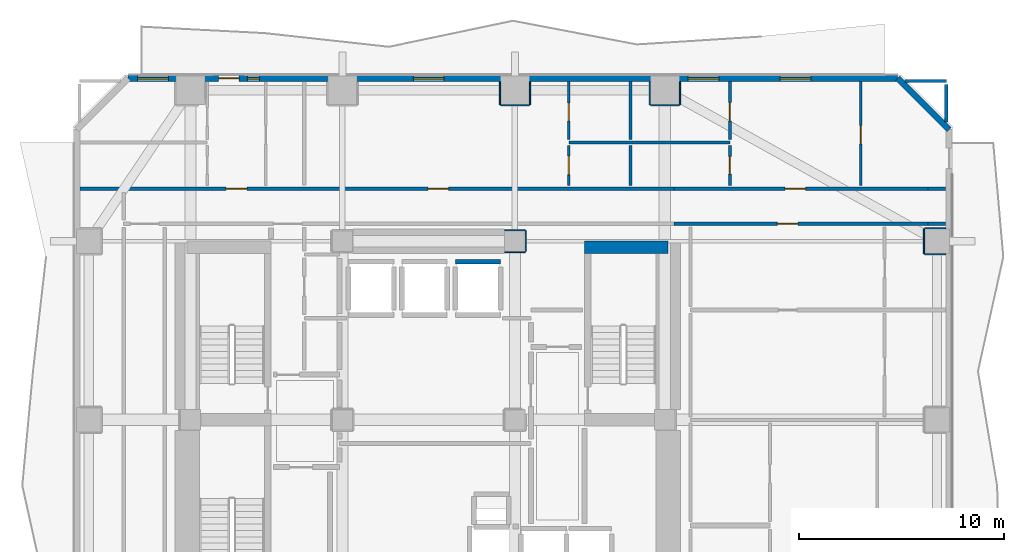
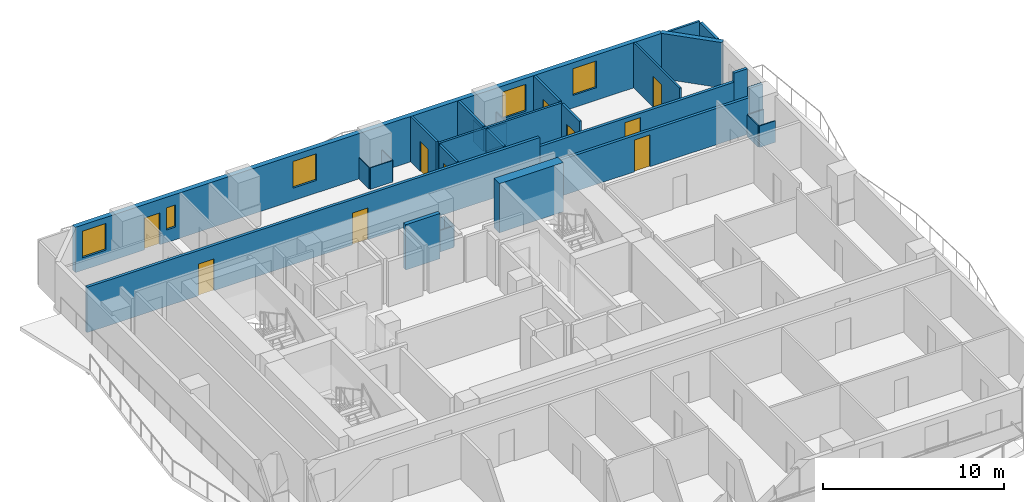
# One storey, part 6 of 10: 31 walls, 10 doors, 5 windows, 15 openings.
"""IFC4 building model written with IfcOpenShell, lengths in metres."""

from ifc_helpers import new_model, si_unit, direction, frame, frame_2d, origin, place, context, subcontext, project, spatial, rectangle, extrude, material, layer, layer_set, type_object, element, fill, save


model = new_model("IFC4")

# Units and contexts
model_context = context("Model", 3, precision=1e-05, world=origin(), true_north=direction((0.0, 1.0)))
body_context = subcontext(model_context, "Body", "Model", "MODEL_VIEW")
ifc_project = project(units=[si_unit("LENGTHUNIT", "METRE"), si_unit("AREAUNIT", "SQUARE_METRE"), si_unit("VOLUMEUNIT", "CUBIC_METRE"), si_unit("PLANEANGLEUNIT", "RADIAN"), si_unit("MASSUNIT", "GRAM", prefix="KILO")], contexts=[model_context])

# Site, building, storey
site_placement = place(None, origin())
site = spatial("IfcSite", under=ifc_project, at=site_placement, CompositionType="ELEMENT")
building_placement = place(site_placement, origin())
building = spatial("IfcBuilding", under=site, at=building_placement, Name="Solanera Arch Residences", CompositionType="ELEMENT")
storey_placement = place(building_placement, frame((0.0, 0.0, 45.239990234375)))
storey = spatial("IfcBuildingStorey", under=building, at=storey_placement, Name="L12", CompositionType="ELEMENT", Elevation=45.239990234375)

# Walls
ifc_material_1 = material(Name="Fire-Rated Gypsum Stud Partition", Category="gypsum")
ifc_layer_1 = layer(ifc_material_1, 0.06005859375)
ifc_layer_set_1 = layer_set([ifc_layer_1], Name="Fire-Rated Gypsum Stud Partition")
wall_type_1 = type_object("IfcWallType", Name="Column Acoustic Furring Wall 60", PredefinedType="PARTITIONING", material=ifc_layer_set_1)
for number, where, z_axis, x_axis, name in (
    (1, (28.7099609375, 38.867919921875, 0.0), (0.0, 0.0, 1.0), (1.0, 0.0, 0.0), "L12 Column Furring 4S"),
    (2, (28.7099609375, 39.931884765625, 0.0), (0.0, 0.0, 1.0), (1.0, 0.0, 0.0), "L12 Column Furring 4N"),
):
    element("IfcWall", number, at=place(storey_placement, frame(where, z_axis=z_axis, x_axis=x_axis)), inside=storey, type_object=wall_type_1, Name=name, PredefinedType="PARTITIONING", context=body_context, shape_type="SweptSolid", body=[
        extrude(rectangle(XDim=0.989990234375, YDim=0.06005859375, at=frame_2d((0.4951171875, 0.0))), origin(), (0.0, 0.0, 1.0), 1.449951171875),
    ])
wall_1_placement = place(storey_placement, frame((29.73193359375, 38.89990234375, 0.0), z_axis=(0.0, 0.0, 1.0), x_axis=(0.0, 1.0, 0.0)))
element("IfcWall", 3, at=wall_1_placement, inside=storey, type_object=wall_type_1, Name="L12 Column Furring 4E", PredefinedType="PARTITIONING", context=body_context, shape_type="SweptSolid", body=[
    extrude(rectangle(XDim=1.0, YDim=0.06005859375, at=frame_2d((0.5, 0.0))), origin(), (0.0, 0.0, 1.0), 1.449951171875),
])
wall_2_placement = place(storey_placement, frame((28.5, 46.01806640625, 0.0), z_axis=(0.0, 0.0, 1.0), x_axis=(1.0, 0.0, 0.0)))
element("IfcWall", 4, at=wall_2_placement, inside=storey, type_object=wall_type_1, Name="L12 Column Furring 14S", PredefinedType="PARTITIONING", context=body_context, shape_type="SweptSolid", body=[
    extrude(rectangle(XDim=1.39990234375, YDim=0.06005859375, at=frame_2d((0.699951171875, 0.0))), origin(), (0.0, 0.0, 1.0), 1.449951171875),
])
for number, where, z_axis, x_axis, name in (
    (5, (28.468017578125, 46.050048828125, 0.0), (0.0, 0.0, 1.0), (0.0, 1.0, 0.0), "L12 Column Furring 14W"),
    (6, (29.931884765625, 46.050048828125, 0.0), (0.0, 0.0, 1.0), (0.0, 1.0, 0.0), "L12 Column Furring 14E"),
):
    element("IfcWall", number, at=place(storey_placement, frame(where, z_axis=z_axis, x_axis=x_axis)), inside=storey, type_object=wall_type_1, Name=name, PredefinedType="PARTITIONING", context=body_context, shape_type="SweptSolid", body=[
        extrude(rectangle(XDim=1.119873046875, YDim=0.06005859375, at=frame_2d((0.56005859375, 0.0))), origin(), (0.0, 0.0, 1.0), 1.449951171875),
    ])
wall_3_placement = place(storey_placement, frame((35.800048828125, 46.01806640625, 0.0), z_axis=(0.0, 0.0, 1.0), x_axis=(1.0, 0.0, 0.0)))
element("IfcWall", 7, at=wall_3_placement, inside=storey, type_object=wall_type_1, Name="L12 Column Furring 16S", PredefinedType="PARTITIONING", context=body_context, shape_type="SweptSolid", body=[
    extrude(rectangle(XDim=1.39990234375, YDim=0.06005859375, at=frame_2d((0.699951171875, 0.0))), origin(), (0.0, 0.0, 1.0), 1.449951171875),
])
for number, where, z_axis, x_axis, name in (
    (8, (35.76806640625, 46.050048828125, 0.0), (0.0, 0.0, 1.0), (0.0, 1.0, 0.0), "L12 Column Furring 16W"),
    (9, (37.23193359375, 46.050048828125, 0.0), (0.0, 0.0, 1.0), (0.0, 1.0, 0.0), "L12 Column Furring 16E"),
):
    element("IfcWall", number, at=place(storey_placement, frame(where, z_axis=z_axis, x_axis=x_axis)), inside=storey, type_object=wall_type_1, Name=name, PredefinedType="PARTITIONING", context=body_context, shape_type="SweptSolid", body=[
        extrude(rectangle(XDim=1.119873046875, YDim=0.06005859375, at=frame_2d((0.56005859375, 0.0))), origin(), (0.0, 0.0, 1.0), 1.449951171875),
    ])
for number, where, z_axis, x_axis, name in (
    (10, (49.14990234375, 38.76806640625, 0.0), (0.0, 0.0, 1.0), (1.0, 0.0, 0.0), "L12 Column Furring 22S"),
    (11, (49.14990234375, 40.031982421875, 0.0), (0.0, 0.0, 1.0), (1.0, 0.0, 0.0), "L12 Column Furring 22N"),
):
    element("IfcWall", number, at=place(storey_placement, frame(where, z_axis=z_axis, x_axis=x_axis)), inside=storey, type_object=wall_type_1, Name=name, PredefinedType="PARTITIONING", context=body_context, shape_type="SweptSolid", body=[
        extrude(rectangle(XDim=1.02001953125, YDim=0.06005859375, at=frame_2d((0.510009765625, 0.0))), origin(), (0.0, 0.0, 1.0), 1.449951171875),
    ])
wall_4_placement = place(storey_placement, frame((49.117919921875, 38.800048828125, 0.0), z_axis=(0.0, 0.0, 1.0), x_axis=(0.0, 1.0, 0.0)))
element("IfcWall", 12, at=wall_4_placement, inside=storey, type_object=wall_type_1, Name="L12 Column Furring 22W", PredefinedType="PARTITIONING", context=body_context, shape_type="SweptSolid", body=[
    extrude(rectangle(XDim=1.199951171875, YDim=0.06005859375, at=frame_2d((0.60009765625, 0.0))), origin(), (0.0, 0.0, 1.0), 1.449951171875),
])
ifc_material_2 = material(Name="Concrete C40/50 (f'c = 45 MPa)", Category="concrete")
ifc_layer_2 = layer(ifc_material_2, 0.60009765625)
ifc_layer_set_2 = layer_set([ifc_layer_2], Name="Concrete C40/50 (f'c = 45 MPa)")
wall_type_2 = type_object("IfcWallType", Name="Core Shear Wall CW-600", PredefinedType="SHEAR", material=ifc_layer_set_2)
wall_5_placement = place(storey_placement, frame((32.580078125, 39.10009765625, 0.0), z_axis=(0.0, 0.0, 1.0), x_axis=(1.0, 0.0, 0.0)))
element("IfcWall", 13, at=wall_5_placement, inside=storey, type_object=wall_type_2, Name="L12 North-East Core Shear Wall", PredefinedType="SHEAR", context=body_context, shape_type="SweptSolid", body=[
    extrude(rectangle(XDim=4.079833984375, YDim=0.60009765625, at=frame_2d((2.0400390625, 0.0))), origin(), (0.0, 0.0, 1.0), 3.320068359375),
])

# Wall, opening, door
ifc_material_3 = material(Name="Autoclaved Aerated Concrete Blockwork", Category="masonry")
ifc_layer_3 = layer(ifc_material_3, 0.179931640625)
ifc_layer_set_3 = layer_set([ifc_layer_3], Name="Autoclaved Aerated Concrete Blockwork")
wall_type_3 = type_object("IfcWallType", Name="Corridor Fire Partition 180", PredefinedType="PARTITIONING", material=ifc_layer_set_3)
wall_6_placement = place(storey_placement, frame((36.931884765625, 40.25, 0.0), z_axis=(0.0, 0.0, 1.0), x_axis=(1.0, 0.0, 0.0)))
wall_6 = element("IfcWall", 14, at=wall_6_placement, inside=storey, type_object=wall_type_3, Name="L12 Interior Partition H12 2", PredefinedType="PARTITIONING", context=body_context, shape_type="SweptSolid", body=[
    extrude(rectangle(XDim=12.38623046875, YDim=0.179931640625, at=frame_2d((6.193115234375, 0.0))), origin(), (0.0, 0.0, 1.0), 2.445068359375),
])
opening_1_placement = place(wall_6_placement, frame((5.04296875, 0.0, 0.0)))
opening_1 = element("IfcOpeningElement", 15, at=opening_1_placement, cuts=wall_6, Name="Opening DI-01", PredefinedType="OPENING", context=body_context, shape_type="SweptSolid", body=[
    extrude(rectangle(XDim=1.0, YDim=2.14990234375, at=frame_2d((0.5, 1.074951171875))), frame((0.0, 0.10009765625, 0.0), z_axis=(0.0, -1.0, 0.0), x_axis=(1.0, 0.0, 0.0)), (0.0, 0.0, 1.0), 0.1999),
])
ifc_material_4 = material(Name="Fire-Rated Architectural Hardwood", Category="wood")
door_type_1 = type_object("IfcDoorType", Name="Unit Entrance Fire Door DI-01", OperationType="NOTDEFINED", PredefinedType="DOOR", material=ifc_material_4)
door_1_placement = place(opening_1_placement, origin())
door_1 = element("IfcDoor", 16, at=door_1_placement, inside=storey, type_object=door_type_1, Name="DR-L12-IN-044", OperationType="SINGLE_SWING_LEFT", OverallHeight=2.14990234375, OverallWidth=1.0, PredefinedType="DOOR", context=body_context, shape_type="SweptSolid", body=[
    extrude(rectangle(XDim=1.0, YDim=2.14990234375, at=frame_2d((0.5, 1.074951171875))), frame((0.0, 0.02490234375, 0.0), z_axis=(0.0, -1.0, 0.0), x_axis=(1.0, 0.0, 0.0)), (0.0, 0.0, 1.0), 0.050048828125),
])
fill(opening_1, door_1)

# Wall
wall_7_placement = place(storey_placement, frame((49.318115234375, 40.25, 0.0), z_axis=(0.0, 0.0, 1.0), x_axis=(1.0, 0.0, 0.0)))
element("IfcWall", 17, at=wall_7_placement, inside=storey, type_object=wall_type_3, Name="L12 Interior Partition H12 3", PredefinedType="PARTITIONING", context=body_context, shape_type="SweptSolid", body=[
    extrude(rectangle(XDim=0.85498046875, YDim=0.179931640625, at=frame_2d((0.427490234375, 0.0))), origin(), (0.0, 0.0, 1.0), 3.06005859375),
])

# Wall, openings, doors
wall_8_placement = place(storey_placement, frame((8.027099609375, 41.949951171875, 0.0), z_axis=(0.0, 0.0, 1.0), x_axis=(1.0, 0.0, 0.0)))
wall_8 = element("IfcWall", 18, at=wall_8_placement, inside=storey, type_object=wall_type_3, Name="L12 Interior Partition H13 1", PredefinedType="PARTITIONING", context=body_context, shape_type="SweptSolid", body=[
    extrude(rectangle(XDim=28.90478515625, YDim=0.179931640625, at=frame_2d((14.452392578125, 0.0))), origin(), (0.0, 0.0, 1.0), 3.06005859375),
])
opening_2_placement = place(wall_8_placement, frame((7.117919921875, 0.0, 0.0)))
opening_2 = element("IfcOpeningElement", 19, at=opening_2_placement, cuts=wall_8, Name="Opening DI-01", PredefinedType="OPENING", context=body_context, shape_type="SweptSolid", body=[
    extrude(rectangle(XDim=1.0, YDim=2.14990234375, at=frame_2d((0.5, 1.074951171875))), frame((0.0, 0.10009765625, 0.0), z_axis=(0.0, -1.0, 0.0), x_axis=(1.0, 0.0, 0.0)), (0.0, 0.0, 1.0), 0.1999),
])
opening_3_placement = place(wall_8_placement, frame((16.943115234375, 0.0, 0.0)))
opening_3 = element("IfcOpeningElement", 20, at=opening_3_placement, cuts=wall_8, Name="Opening DI-01", PredefinedType="OPENING", context=body_context, shape_type="SweptSolid", body=[
    extrude(rectangle(XDim=1.0, YDim=2.14990234375, at=frame_2d((0.5, 1.074951171875))), frame((0.0, 0.10009765625, 0.0), z_axis=(0.0, -1.0, 0.0), x_axis=(1.0, 0.0, 0.0)), (0.0, 0.0, 1.0), 0.1999),
])
door_2_placement = place(opening_2_placement, origin())
door_2 = element("IfcDoor", 21, at=door_2_placement, inside=storey, type_object=door_type_1, Name="DR-L12-IN-029", OperationType="SINGLE_SWING_RIGHT", OverallHeight=2.14990234375, OverallWidth=1.0, PredefinedType="DOOR", context=body_context, shape_type="SweptSolid", body=[
    extrude(rectangle(XDim=1.0, YDim=2.14990234375, at=frame_2d((0.5, 1.074951171875))), frame((0.0, 0.02490234375, 0.0), z_axis=(0.0, -1.0, 0.0), x_axis=(1.0, 0.0, 0.0)), (0.0, 0.0, 1.0), 0.050048828125),
])
fill(opening_2, door_2)
door_3_placement = place(opening_3_placement, origin())
door_3 = element("IfcDoor", 22, at=door_3_placement, inside=storey, type_object=door_type_1, Name="DR-L12-IN-033", OperationType="SINGLE_SWING_RIGHT", OverallHeight=2.14990234375, OverallWidth=1.0, PredefinedType="DOOR", context=body_context, shape_type="SweptSolid", body=[
    extrude(rectangle(XDim=1.0, YDim=2.14990234375, at=frame_2d((0.5, 1.074951171875))), frame((0.0, 0.02490234375, 0.0), z_axis=(0.0, -1.0, 0.0), x_axis=(1.0, 0.0, 0.0)), (0.0, 0.0, 1.0), 0.050048828125),
])
fill(opening_3, door_3)

# Wall, opening, door
wall_9_placement = place(storey_placement, frame((36.931884765625, 41.949951171875, 0.0), z_axis=(0.0, 0.0, 1.0), x_axis=(1.0, 0.0, 0.0)))
wall_9 = element("IfcWall", 23, at=wall_9_placement, inside=storey, type_object=wall_type_3, Name="L12 Interior Partition H13 2", PredefinedType="PARTITIONING", context=body_context, shape_type="SweptSolid", body=[
    extrude(rectangle(XDim=12.38623046875, YDim=0.179931640625, at=frame_2d((6.193115234375, 0.0))), origin(), (0.0, 0.0, 1.0), 2.445068359375),
])
opening_4_placement = place(wall_9_placement, frame((5.425048828125, 0.0, 0.0)))
opening_4 = element("IfcOpeningElement", 24, at=opening_4_placement, cuts=wall_9, Name="Opening DI-01", PredefinedType="OPENING", context=body_context, shape_type="SweptSolid", body=[
    extrude(rectangle(XDim=1.0, YDim=2.14990234375, at=frame_2d((0.5, 1.074951171875))), frame((0.0, 0.10009765625, 0.0), z_axis=(0.0, -1.0, 0.0), x_axis=(1.0, 0.0, 0.0)), (0.0, 0.0, 1.0), 0.1999),
])
door_4_placement = place(opening_4_placement, origin())
door_4 = element("IfcDoor", 25, at=door_4_placement, inside=storey, type_object=door_type_1, Name="DR-L12-IN-036", OperationType="SINGLE_SWING_LEFT", OverallHeight=2.14990234375, OverallWidth=1.0, PredefinedType="DOOR", context=body_context, shape_type="SweptSolid", body=[
    extrude(rectangle(XDim=1.0, YDim=2.14990234375, at=frame_2d((0.5, 1.074951171875))), frame((0.0, 0.02490234375, 0.0), z_axis=(0.0, -1.0, 0.0), x_axis=(1.0, 0.0, 0.0)), (0.0, 0.0, 1.0), 0.050048828125),
])
fill(opening_4, door_4)

# Walls
wall_10_placement = place(storey_placement, frame((49.318115234375, 41.949951171875, 0.0), z_axis=(0.0, 0.0, 1.0), x_axis=(1.0, 0.0, 0.0)))
element("IfcWall", 26, at=wall_10_placement, inside=storey, type_object=wall_type_3, Name="L12 Interior Partition H13 3", PredefinedType="PARTITIONING", context=body_context, shape_type="SweptSolid", body=[
    extrude(rectangle(XDim=0.85498046875, YDim=0.179931640625, at=frame_2d((0.427490234375, 0.0))), origin(), (0.0, 0.0, 1.0), 3.06005859375),
])
wall_11_placement = place(storey_placement, frame((50.199951171875, 45.198974609375, 0.0), z_axis=(0.0, 0.0, 1.0), x_axis=(0.0, 1.0, 0.0)))
element("IfcWall", 27, at=wall_11_placement, inside=storey, type_object=wall_type_3, Name="L12 Interior Partition V11 2", PredefinedType="PARTITIONING", context=body_context, shape_type="SweptSolid", body=[
    extrude(rectangle(XDim=1.8330078125, YDim=0.179931640625, at=frame_2d((0.91650390625, 0.0))), origin(), (0.0, 0.0, 1.0), 3.06005859375),
])

# Wall, openings, door, windows
ifc_material_5 = material(Name="Precast Concrete C35/45", Category="concrete")
ifc_layer_4 = layer(ifc_material_5, 0.300048828125)
ifc_layer_set_4 = layer_set([ifc_layer_4], Name="Precast Concrete C35/45")
wall_type_4 = type_object("IfcWallType", Name="Exterior Wall Precast Masonry-Frame 300", PredefinedType="STANDARD", material=ifc_layer_set_4)
wall_12_placement = place(storey_placement, frame((10.364990234375, 47.3349609375, 0.0), z_axis=(0.0, 0.0, 1.0), x_axis=(1.0, 0.0, 0.0)))
wall_12 = element("IfcWall", 28, at=wall_12_placement, inside=storey, type_object=wall_type_4, Name="L12 Tower Exterior Precast Masonry-Frame Wall N", PredefinedType="STANDARD", context=body_context, shape_type="SweptSolid", body=[
    extrude(rectangle(XDim=37.469970703125, YDim=0.300048828125, at=frame_2d((18.73486328125, 0.0))), origin(), (0.0, 0.0, 1.0), 3.06005859375),
])
opening_5_placement = place(wall_12_placement, frame((4.403076171875, 0.0, 0.0)))
opening_5 = element("IfcOpeningElement", 29, at=opening_5_placement, cuts=wall_12, Name="Opening DB-01", PredefinedType="OPENING", context=body_context, shape_type="SweptSolid", body=[
    extrude(rectangle(XDim=1.0, YDim=2.14990234375, at=frame_2d((0.5, 1.074951171875))), frame((0.0, 0.159912109375, 0.0), z_axis=(0.0, -1.0, 0.0), x_axis=(1.0, 0.0, 0.0)), (0.0, 0.0, 1.0), 0.32),
])
opening_6_placement = place(wall_12_placement, frame((5.81396484375, 0.0, 0.85009765625)))
opening_6 = element("IfcOpeningElement", 30, at=opening_6_placement, cuts=wall_12, Name="Opening W-14", PredefinedType="OPENING", context=body_context, shape_type="SweptSolid", body=[
    extrude(rectangle(XDim=0.580078125, YDim=1.5, at=frame_2d((0.2900390625, 0.75))), frame((0.0, 0.159912109375, 0.0), z_axis=(0.0, -1.0, 0.0), x_axis=(1.0, 0.0, 0.0)), (0.0, 0.0, 1.0), 0.32),
])
opening_7_placement = place(wall_12_placement, frame((0.4619140625, 0.0, 0.85009765625)))
opening_7 = element("IfcOpeningElement", 31, at=opening_7_placement, cuts=wall_12, Name="Opening W-02", PredefinedType="OPENING", context=body_context, shape_type="SweptSolid", body=[
    extrude(rectangle(XDim=1.5, YDim=1.800048828125, at=frame_2d((0.75, 0.89990234375))), frame((0.0, 0.159912109375, 0.0), z_axis=(0.0, -1.0, 0.0), x_axis=(1.0, 0.0, 0.0)), (0.0, 0.0, 1.0), 0.32),
])
opening_8_placement = place(wall_12_placement, frame((13.885009765625, 0.0, 0.85009765625)))
opening_8 = element("IfcOpeningElement", 32, at=opening_8_placement, cuts=wall_12, Name="Opening W-02", PredefinedType="OPENING", context=body_context, shape_type="SweptSolid", body=[
    extrude(rectangle(XDim=1.5, YDim=1.800048828125, at=frame_2d((0.75, 0.89990234375))), frame((0.0, 0.159912109375, 0.0), z_axis=(0.0, -1.0, 0.0), x_axis=(1.0, 0.0, 0.0)), (0.0, 0.0, 1.0), 0.32),
])
opening_9_placement = place(wall_12_placement, frame((31.741943359375, 0.0, 0.85009765625)))
opening_9 = element("IfcOpeningElement", 33, at=opening_9_placement, cuts=wall_12, Name="Opening W-02", PredefinedType="OPENING", context=body_context, shape_type="SweptSolid", body=[
    extrude(rectangle(XDim=1.5, YDim=1.800048828125, at=frame_2d((0.75, 0.89990234375))), frame((0.0, 0.159912109375, 0.0), z_axis=(0.0, -1.0, 0.0), x_axis=(1.0, 0.0, 0.0)), (0.0, 0.0, 1.0), 0.32),
])
opening_10_placement = place(wall_12_placement, frame((27.26806640625, 0.0, 0.85009765625)))
opening_10 = element("IfcOpeningElement", 34, at=opening_10_placement, cuts=wall_12, Name="Opening W-02", PredefinedType="OPENING", context=body_context, shape_type="SweptSolid", body=[
    extrude(rectangle(XDim=1.5, YDim=1.800048828125, at=frame_2d((0.75, 0.89990234375))), frame((0.0, 0.159912109375, 0.0), z_axis=(0.0, -1.0, 0.0), x_axis=(1.0, 0.0, 0.0)), (0.0, 0.0, 1.0), 0.32),
])
ifc_material_6 = material(Name="Anodised Aluminium Alloy 6063-T6", Category="aluminium")
door_type_2 = type_object("IfcDoorType", Name="Glazed Balcony Swing Door DB-01", OperationType="NOTDEFINED", PredefinedType="DOOR", material=ifc_material_6)
door_5_placement = place(opening_5_placement, origin())
door_5 = element("IfcDoor", 35, at=door_5_placement, inside=storey, type_object=door_type_2, Name="DR-L12-OUT-02", OperationType="SINGLE_SWING_LEFT", OverallHeight=2.14990234375, OverallWidth=1.0, PredefinedType="DOOR", context=body_context, shape_type="SweptSolid", body=[
    extrude(rectangle(XDim=1.0, YDim=2.14990234375, at=frame_2d((0.5, 1.074951171875))), frame((0.0, 0.02490234375, 0.0), z_axis=(0.0, -1.0, 0.0), x_axis=(1.0, 0.0, 0.0)), (0.0, 0.0, 1.0), 0.050048828125),
])
fill(opening_5, door_5)
ifc_material_7 = material(Name="Double Glazed Low-E Laminated Glass", Category="glass")
window_type_1 = type_object("IfcWindowType", Name="Punched Window W-02", PartitioningType="DOUBLE_PANEL_VERTICAL", PredefinedType="WINDOW", material=ifc_material_7)
window_1_placement = place(opening_7_placement, origin())
window_1 = element("IfcWindow", 36, at=window_1_placement, inside=storey, type_object=window_type_1, Name="L12 1205-BR1 Punched Window", OverallHeight=1.800048828125, OverallWidth=1.5, PartitioningType="SINGLE_PANEL", PredefinedType="WINDOW", context=body_context, shape_type="SweptSolid", body=[
    extrude(rectangle(XDim=1.5, YDim=1.800048828125, at=frame_2d((0.75, 0.89990234375))), frame((0.0, 0.030029296875, 0.0), z_axis=(0.0, -1.0, 0.0), x_axis=(1.0, 0.0, 0.0)), (0.0, 0.0, 1.0), 0.06005859375),
])
fill(opening_7, window_1)
window_2_placement = place(opening_8_placement, origin())
window_2 = element("IfcWindow", 37, at=window_2_placement, inside=storey, type_object=window_type_1, Name="L12 1206-LIV Punched Window", OverallHeight=1.800048828125, OverallWidth=1.5, PartitioningType="SINGLE_PANEL", PredefinedType="WINDOW", context=body_context, shape_type="SweptSolid", body=[
    extrude(rectangle(XDim=1.5, YDim=1.800048828125, at=frame_2d((0.75, 0.89990234375))), frame((0.0, 0.030029296875, 0.0), z_axis=(0.0, -1.0, 0.0), x_axis=(1.0, 0.0, 0.0)), (0.0, 0.0, 1.0), 0.06005859375),
])
fill(opening_8, window_2)
window_3_placement = place(opening_9_placement, origin())
window_3 = element("IfcWindow", 38, at=window_3_placement, inside=storey, type_object=window_type_1, Name="L12 1207-LIV Punched Window", OverallHeight=1.800048828125, OverallWidth=1.5, PartitioningType="SINGLE_PANEL", PredefinedType="WINDOW", context=body_context, shape_type="SweptSolid", body=[
    extrude(rectangle(XDim=1.5, YDim=1.800048828125, at=frame_2d((0.75, 0.89990234375))), frame((0.0, 0.030029296875, 0.0), z_axis=(0.0, -1.0, 0.0), x_axis=(1.0, 0.0, 0.0)), (0.0, 0.0, 1.0), 0.06005859375),
])
fill(opening_9, window_3)
window_4_placement = place(opening_10_placement, origin())
window_4 = element("IfcWindow", 39, at=window_4_placement, inside=storey, type_object=window_type_1, Name="L12 1207-BR1 Punched Window", OverallHeight=1.800048828125, OverallWidth=1.5, PartitioningType="SINGLE_PANEL", PredefinedType="WINDOW", context=body_context, shape_type="SweptSolid", body=[
    extrude(rectangle(XDim=1.5, YDim=1.800048828125, at=frame_2d((0.75, 0.89990234375))), frame((0.0, 0.030029296875, 0.0), z_axis=(0.0, -1.0, 0.0), x_axis=(1.0, 0.0, 0.0)), (0.0, 0.0, 1.0), 0.06005859375),
])
fill(opening_10, window_4)
ifc_material_8 = material(Name="Double Glazed Low-E Laminated Glass", Category="glass")
window_type_2 = type_object("IfcWindowType", Name="Punched Window W-14", PartitioningType="SINGLE_PANEL", PredefinedType="WINDOW", material=ifc_material_8)
window_5_placement = place(opening_6_placement, origin())
window_5 = element("IfcWindow", 40, at=window_5_placement, inside=storey, type_object=window_type_2, Name="L12 1205-LIV Punched Window", OverallHeight=1.5, OverallWidth=0.580078125, PartitioningType="SINGLE_PANEL", PredefinedType="WINDOW", context=body_context, shape_type="SweptSolid", body=[
    extrude(rectangle(XDim=0.580078125, YDim=1.5, at=frame_2d((0.2900390625, 0.75))), frame((0.0, 0.030029296875, 0.0), z_axis=(0.0, -1.0, 0.0), x_axis=(1.0, 0.0, 0.0)), (0.0, 0.0, 1.0), 0.06005859375),
])
fill(opening_6, window_5)

# Walls
wall_13_placement = place(storey_placement, frame((47.8349609375, 47.3349609375, 0.0), z_axis=(0.0, 0.0, 1.0), x_axis=(0.707106781187, -0.707106781187, 0.0)))
element("IfcWall", 41, at=wall_13_placement, inside=storey, type_object=wall_type_4, Name="L12 Tower Exterior Precast Masonry-Frame Wall CH3", PredefinedType="STANDARD", context=body_context, shape_type="SweptSolid", body=[
    extrude(rectangle(XDim=3.53564453125, YDim=0.300048828125, at=frame_2d((1.767822265625, 0.0))), origin(), (0.0, 0.0, 1.0), 3.06005859375),
])
ifc_material_9 = material(Name="Autoclaved Aerated Concrete Blockwork", Category="masonry")
ifc_layer_5 = layer(ifc_material_9, 0.239990234375)
ifc_layer_set_5 = layer_set([ifc_layer_5], Name="Autoclaved Aerated Concrete Blockwork")
wall_type_5 = type_object("IfcWallType", Name="Shaft Wall Fire-Rated 240", PredefinedType="PARTITIONING", material=ifc_layer_set_5)
wall_14_placement = place(storey_placement, frame((26.300048828125, 38.39990234375, 0.0), z_axis=(0.0, 0.0, 1.0), x_axis=(1.0, 0.0, 0.0)))
element("IfcWall", 42, at=wall_14_placement, inside=storey, type_object=wall_type_5, Name="L12 Lift PL-L3 Hoistway Wall N", PredefinedType="PARTITIONING", context=body_context, shape_type="SweptSolid", body=[
    extrude(rectangle(XDim=2.199951171875, YDim=0.239990234375, at=frame_2d((1.10009765625, 0.0))), origin(), (0.0, 0.0, 1.0), 3.06005859375),
])

# Wall, opening, door
ifc_material_10 = material(Name="Fire-Rated Gypsum Stud Partition", Category="gypsum")
ifc_layer_6 = layer(ifc_material_10, 0.1201171875)
ifc_layer_set_6 = layer_set([ifc_layer_6], Name="Fire-Rated Gypsum Stud Partition")
wall_type_6 = type_object("IfcWallType", Name="Unit Drywall Partition 120", PredefinedType="PARTITIONING", material=ifc_layer_set_6)
wall_15_placement = place(storey_placement, frame((46.047119140625, 42.10791015625, 0.0), z_axis=(0.0, 0.0, 1.0), x_axis=(0.0, 1.0, 0.0)))
wall_15 = element("IfcWall", 43, at=wall_15_placement, inside=storey, type_object=wall_type_6, Name="L12 Interior Partition V29", PredefinedType="PARTITIONING", context=body_context, shape_type="SweptSolid", body=[
    extrude(rectangle(XDim=5.065185546875, YDim=0.1201171875, at=frame_2d((2.53271484375, 0.0))), origin(), (0.0, 0.0, 1.0), 3.06005859375),
])
opening_11_placement = place(wall_15_placement, frame((2.01708984375, 0.0, 0.0)))
opening_11 = element("IfcOpeningElement", 44, at=opening_11_placement, cuts=wall_15, Name="Opening DI-02", PredefinedType="OPENING", context=body_context, shape_type="SweptSolid", body=[
    extrude(rectangle(XDim=0.89990234375, YDim=2.10009765625, at=frame_2d((0.449951171875, 1.050048828125))), frame((0.0, 0.070068359375, 0.0), z_axis=(0.0, -1.0, 0.0), x_axis=(1.0, 0.0, 0.0)), (0.0, 0.0, 1.0), 0.1401),
])
ifc_material_11 = material(Name="Fire-Rated Architectural Hardwood", Category="wood")
door_type_3 = type_object("IfcDoorType", Name="Suite Room Swing Door DI-02", OperationType="NOTDEFINED", PredefinedType="DOOR", material=ifc_material_11)
door_6_placement = place(opening_11_placement, origin())
door_6 = element("IfcDoor", 45, at=door_6_placement, inside=storey, type_object=door_type_3, Name="DR-L12-IN-039", OperationType="SINGLE_SWING_RIGHT", OverallHeight=2.10009765625, OverallWidth=0.89990234375, PredefinedType="DOOR", context=body_context, shape_type="SweptSolid", body=[
    extrude(rectangle(XDim=0.89990234375, YDim=2.10009765625, at=frame_2d((0.449951171875, 1.050048828125))), frame((0.0, 0.02490234375, 0.0), z_axis=(0.0, -1.0, 0.0), x_axis=(1.0, 0.0, 0.0)), (0.0, 0.0, 1.0), 0.050048828125),
])
fill(opening_11, door_6)

# Walls
ifc_material_12 = material(Name="Autoclaved Aerated Concrete Blockwork", Category="masonry")
ifc_layer_7 = layer(ifc_material_12, 0.139892578125)
ifc_layer_set_7 = layer_set([ifc_layer_7], Name="Autoclaved Aerated Concrete Blockwork")
wall_type_7 = type_object("IfcWallType", Name="Wet-Room Partition 140", PredefinedType="PARTITIONING", material=ifc_layer_set_7)
wall_16_placement = place(storey_placement, frame((31.820068359375, 44.2080078125, 0.0), z_axis=(0.0, 0.0, 1.0), x_axis=(1.0, 0.0, 0.0)))
element("IfcWall", 46, at=wall_16_placement, inside=storey, type_object=wall_type_7, Name="L12 Interior Partition H21", PredefinedType="PARTITIONING", context=body_context, shape_type="SweptSolid", body=[
    extrude(rectangle(XDim=7.845947265625, YDim=0.139892578125, at=frame_2d((3.9228515625, 0.0))), origin(), (0.0, 0.0, 1.0), 3.06005859375),
])
wall_17_placement = place(storey_placement, frame((48.198974609375, 47.199951171875, 0.0), z_axis=(0.0, 0.0, 1.0), x_axis=(1.0, 0.0, 0.0)))
element("IfcWall", 47, at=wall_17_placement, inside=storey, type_object=wall_type_7, Name="L12 Interior Partition H22 2", PredefinedType="PARTITIONING", context=body_context, shape_type="SweptSolid", body=[
    extrude(rectangle(XDim=2.0009765625, YDim=0.139892578125, at=frame_2d((1.00048828125, 0.0))), origin(), (0.0, 0.0, 1.0), 3.06005859375),
])

# Wall, opening, door
wall_18_placement = place(storey_placement, frame((31.820068359375, 42.117919921875, 0.0), z_axis=(0.0, 0.0, 1.0), x_axis=(0.0, 1.0, 0.0)))
wall_18 = element("IfcWall", 48, at=wall_18_placement, inside=storey, type_object=wall_type_7, Name="L12 Interior Partition V19 1", PredefinedType="PARTITIONING", context=body_context, shape_type="SweptSolid", body=[
    extrude(rectangle(XDim=1.942138671875, YDim=0.139892578125, at=frame_2d((0.97119140625, 0.0))), origin(), (0.0, 0.0, 1.0), 3.06005859375),
])
opening_12_placement = place(wall_18_placement, frame((0.52392578125, 0.0, 0.0)))
opening_12 = element("IfcOpeningElement", 49, at=opening_12_placement, cuts=wall_18, Name="Opening DI-02", PredefinedType="OPENING", context=body_context, shape_type="SweptSolid", body=[
    extrude(rectangle(XDim=0.89990234375, YDim=2.10009765625, at=frame_2d((0.449951171875, 1.050048828125))), frame((0.0, 0.079833984375, 0.0), z_axis=(0.0, -1.0, 0.0), x_axis=(1.0, 0.0, 0.0)), (0.0, 0.0, 1.0), 0.1599),
])
door_7_placement = place(opening_12_placement, origin())
door_7 = element("IfcDoor", 50, at=door_7_placement, inside=storey, type_object=door_type_3, Name="DR-L12-IN-034", OperationType="SINGLE_SWING_LEFT", OverallHeight=2.10009765625, OverallWidth=0.89990234375, PredefinedType="DOOR", context=body_context, shape_type="SweptSolid", body=[
    extrude(rectangle(XDim=0.89990234375, YDim=2.10009765625, at=frame_2d((0.449951171875, 1.050048828125))), frame((0.0, 0.02490234375, 0.0), z_axis=(0.0, -1.0, 0.0), x_axis=(1.0, 0.0, 0.0)), (0.0, 0.0, 1.0), 0.050048828125),
])
fill(opening_12, door_7)

wall_19_placement = place(storey_placement, frame((31.820068359375, 44.35595703125, 0.0), z_axis=(0.0, 0.0, 1.0), x_axis=(0.0, 1.0, 0.0)))
wall_19 = element("IfcWall", 51, at=wall_19_placement, inside=storey, type_object=wall_type_7, Name="L12 Interior Partition V19 2", PredefinedType="PARTITIONING", context=body_context, shape_type="SweptSolid", body=[
    extrude(rectangle(XDim=2.817138671875, YDim=0.139892578125, at=frame_2d((1.40869140625, 0.0))), origin(), (0.0, 0.0, 1.0), 3.06005859375),
])
opening_13_placement = place(wall_19_placement, frame((0.905029296875, 0.0, 0.0)))
opening_13 = element("IfcOpeningElement", 52, at=opening_13_placement, cuts=wall_19, Name="Opening DI-05", PredefinedType="OPENING", context=body_context, shape_type="SweptSolid", body=[
    extrude(rectangle(XDim=0.860107421875, YDim=2.02001953125, at=frame_2d((0.43017578125, 1.010009765625))), frame((0.0, 0.079833984375, 0.0), z_axis=(0.0, -1.0, 0.0), x_axis=(1.0, 0.0, 0.0)), (0.0, 0.0, 1.0), 0.1599),
])
ifc_material_13 = material(Name="Fire-Rated Architectural Hardwood", Category="wood")
door_type_4 = type_object("IfcDoorType", Name="Bathroom Swing Door DI-05", OperationType="NOTDEFINED", PredefinedType="DOOR", material=ifc_material_13)
door_8_placement = place(opening_13_placement, origin())
door_8 = element("IfcDoor", 53, at=door_8_placement, inside=storey, type_object=door_type_4, Name="DR-L12-IN-035", OperationType="SINGLE_SWING_RIGHT", OverallHeight=2.02001953125, OverallWidth=0.860107421875, PredefinedType="DOOR", context=body_context, shape_type="SweptSolid", body=[
    extrude(rectangle(XDim=0.860107421875, YDim=2.02001953125, at=frame_2d((0.43017578125, 1.010009765625))), frame((0.0, 0.02490234375, 0.0), z_axis=(0.0, -1.0, 0.0), x_axis=(1.0, 0.0, 0.0)), (0.0, 0.0, 1.0), 0.050048828125),
])
fill(opening_13, door_8)

# Walls
wall_20_placement = place(storey_placement, frame((34.820068359375, 42.117919921875, 0.0), z_axis=(0.0, 0.0, 1.0), x_axis=(0.0, 1.0, 0.0)))
element("IfcWall", 54, at=wall_20_placement, inside=storey, type_object=wall_type_7, Name="L12 Interior Partition V21 1", PredefinedType="PARTITIONING", context=body_context, shape_type="SweptSolid", body=[
    extrude(rectangle(XDim=1.942138671875, YDim=0.139892578125, at=frame_2d((0.97119140625, 0.0))), origin(), (0.0, 0.0, 1.0), 3.06005859375),
])
wall_21_placement = place(storey_placement, frame((34.820068359375, 44.35595703125, 0.0), z_axis=(0.0, 0.0, 1.0), x_axis=(0.0, 1.0, 0.0)))
element("IfcWall", 55, at=wall_21_placement, inside=storey, type_object=wall_type_7, Name="L12 Interior Partition V21 2", PredefinedType="PARTITIONING", context=body_context, shape_type="SweptSolid", body=[
    extrude(rectangle(XDim=2.817138671875, YDim=0.139892578125, at=frame_2d((1.40869140625, 0.0))), origin(), (0.0, 0.0, 1.0), 3.06005859375),
])

# Wall, opening, door
wall_22_placement = place(storey_placement, frame((39.666015625, 42.117919921875, 0.0), z_axis=(0.0, 0.0, 1.0), x_axis=(0.0, 1.0, 0.0)))
wall_22 = element("IfcWall", 56, at=wall_22_placement, inside=storey, type_object=wall_type_7, Name="L12 Interior Partition V23 1", PredefinedType="PARTITIONING", context=body_context, shape_type="SweptSolid", body=[
    extrude(rectangle(XDim=1.942138671875, YDim=0.139892578125, at=frame_2d((0.97119140625, 0.0))), origin(), (0.0, 0.0, 1.0), 3.06005859375),
])
opening_14_placement = place(wall_22_placement, frame((0.5439453125, 0.0, 0.0)))
opening_14 = element("IfcOpeningElement", 57, at=opening_14_placement, cuts=wall_22, Name="Opening DI-05", PredefinedType="OPENING", context=body_context, shape_type="SweptSolid", body=[
    extrude(rectangle(XDim=0.860107421875, YDim=2.02001953125, at=frame_2d((0.43017578125, 1.010009765625))), frame((0.0, 0.079833984375, 0.0), z_axis=(0.0, -1.0, 0.0), x_axis=(1.0, 0.0, 0.0)), (0.0, 0.0, 1.0), 0.1599),
])
door_9_placement = place(opening_14_placement, origin())
door_9 = element("IfcDoor", 58, at=door_9_placement, inside=storey, type_object=door_type_4, Name="DR-L12-IN-037", OperationType="SINGLE_SWING_RIGHT", OverallHeight=2.02001953125, OverallWidth=0.860107421875, PredefinedType="DOOR", context=body_context, shape_type="SweptSolid", body=[
    extrude(rectangle(XDim=0.860107421875, YDim=2.02001953125, at=frame_2d((0.43017578125, 1.010009765625))), frame((0.0, 0.02490234375, 0.0), z_axis=(0.0, -1.0, 0.0), x_axis=(1.0, 0.0, 0.0)), (0.0, 0.0, 1.0), 0.050048828125),
])
fill(opening_14, door_9)

wall_23_placement = place(storey_placement, frame((39.666015625, 44.35595703125, 0.0), z_axis=(0.0, 0.0, 1.0), x_axis=(0.0, 1.0, 0.0)))
wall_23 = element("IfcWall", 59, at=wall_23_placement, inside=storey, type_object=wall_type_7, Name="L12 Interior Partition V23 2", PredefinedType="PARTITIONING", context=body_context, shape_type="SweptSolid", body=[
    extrude(rectangle(XDim=2.817138671875, YDim=0.139892578125, at=frame_2d((1.40869140625, 0.0))), origin(), (0.0, 0.0, 1.0), 3.06005859375),
])
opening_15_placement = place(wall_23_placement, frame((0.885009765625, 0.0, 0.0)))
opening_15 = element("IfcOpeningElement", 60, at=opening_15_placement, cuts=wall_23, Name="Opening DI-03", PredefinedType="OPENING", context=body_context, shape_type="SweptSolid", body=[
    extrude(rectangle(XDim=0.89990234375, YDim=2.10009765625, at=frame_2d((0.449951171875, 1.050048828125))), frame((0.0, 0.079833984375, 0.0), z_axis=(0.0, -1.0, 0.0), x_axis=(1.0, 0.0, 0.0)), (0.0, 0.0, 1.0), 0.1599),
])
ifc_material_14 = material(Name="Fire-Rated Architectural Hardwood", Category="wood")
door_type_5 = type_object("IfcDoorType", Name="Bedroom Swing Door DI-03", OperationType="NOTDEFINED", PredefinedType="DOOR", material=ifc_material_14)
door_10_placement = place(opening_15_placement, origin())
door_10 = element("IfcDoor", 61, at=door_10_placement, inside=storey, type_object=door_type_5, Name="DR-L12-IN-038", OperationType="SINGLE_SWING_LEFT", OverallHeight=2.10009765625, OverallWidth=0.89990234375, PredefinedType="DOOR", context=body_context, shape_type="SweptSolid", body=[
    extrude(rectangle(XDim=0.89990234375, YDim=2.10009765625, at=frame_2d((0.449951171875, 1.050048828125))), frame((0.0, 0.02490234375, 0.0), z_axis=(0.0, -1.0, 0.0), x_axis=(1.0, 0.0, 0.0)), (0.0, 0.0, 1.0), 0.050048828125),
])
fill(opening_15, door_10)

save(model, "model.ifc")
